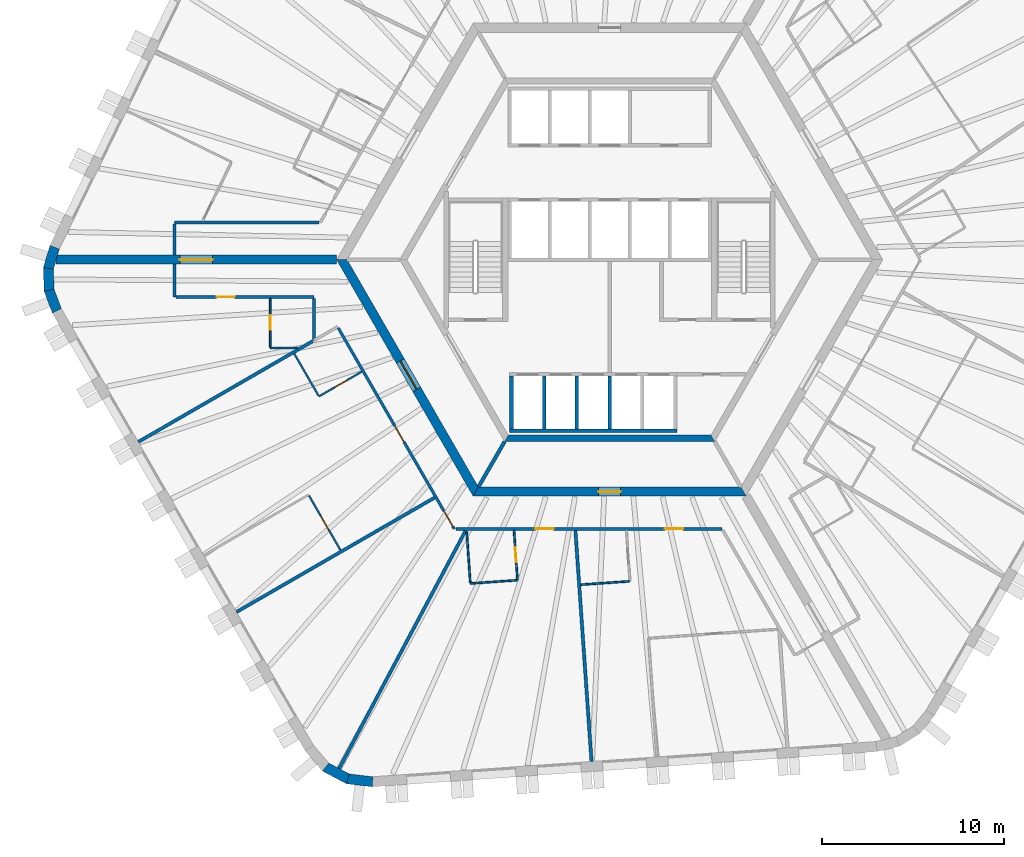
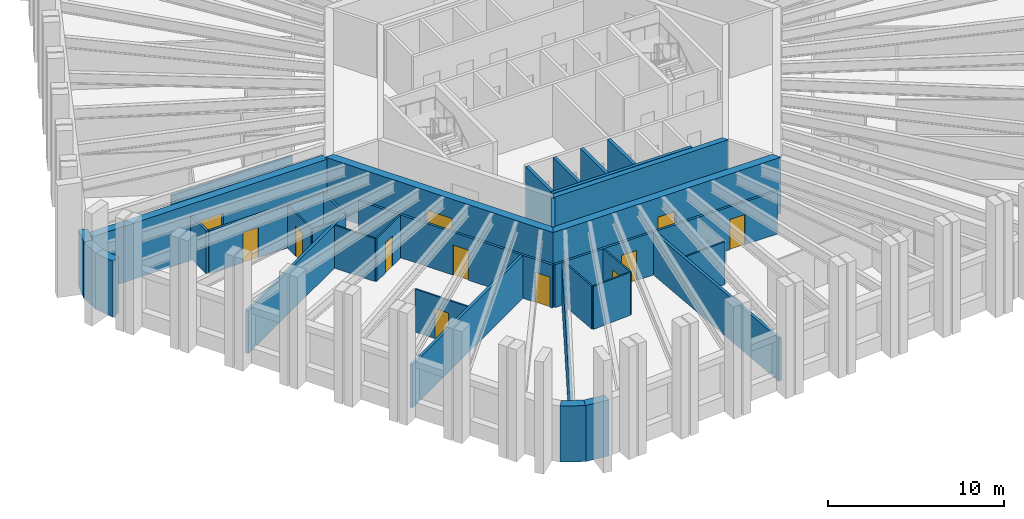
# One storey, part 3 of 10: 35 walls, 12 doors, 12 openings.
"""IFC4 building model written with IfcOpenShell, lengths in metres."""

from ifc_helpers import new_model, si_unit, direction, frame, frame_2d, origin, place, context, subcontext, project, spatial, polyline, rectangle, outline, extrude, material, layer, layer_set, type_object, element, fill, save


model = new_model("IFC4")

# Units and contexts
model_context = context("Model", 3, precision=1e-05, world=origin(), true_north=direction((0.0, 1.0)))
body_context = subcontext(model_context, "Body", "Model", "MODEL_VIEW")
ifc_project = project(units=[si_unit("LENGTHUNIT", "METRE"), si_unit("AREAUNIT", "SQUARE_METRE"), si_unit("VOLUMEUNIT", "CUBIC_METRE"), si_unit("PLANEANGLEUNIT", "RADIAN"), si_unit("MASSUNIT", "GRAM", prefix="KILO")], contexts=[model_context])

# Site, building, storey
site_placement = place(None, origin())
site = spatial("IfcSite", under=ifc_project, at=site_placement, CompositionType="ELEMENT")
building_placement = place(site_placement, origin())
building = spatial("IfcBuilding", under=site, at=building_placement, Name="Tarnside Tower", CompositionType="ELEMENT")
storey_placement = place(building_placement, frame((0.0, 0.0, 176.10009765625)))
storey = spatial("IfcBuildingStorey", under=building, at=storey_placement, Name="L41", CompositionType="ELEMENT", Elevation=176.10009765625)

# Wall
ifc_material_1 = material(Name="Gypsum board partition on steel studs", Category="steel")
ifc_layer_1 = layer(ifc_material_1, 0.10009765625)
ifc_layer_set_1 = layer_set([ifc_layer_1], Name="Bathroom wall 100")
wall_type_1 = type_object("IfcWallType", Name="Bathroom wall 100", PredefinedType="PARTITIONING", material=ifc_layer_set_1)
wall_1_placement = place(storey_placement, frame((-17.144775390625, -4.85009765625, 0.0), z_axis=(0.0, 0.0, 1.0), x_axis=(-1.0, 0.0, 0.0)))
element("IfcWall", 1, at=wall_1_placement, inside=storey, type_object=wall_type_1, Name="Bathroom wall 13070", PredefinedType="PARTITIONING", context=body_context, shape_type="SweptSolid", body=[
    extrude(rectangle(XDim=1.51123046875, YDim=0.10009765625, at=frame_2d((0.755615234375, 0.0))), origin(), (0.0, 0.0, 1.0), 2.98779296875),
])

# Wall, opening, door
wall_2_placement = place(storey_placement, frame((-18.656005859375, -4.800048828125, 0.0), z_axis=(0.0, 0.0, 1.0), x_axis=(0.0, 1.0, 0.0)))
wall_2 = element("IfcWall", 2, at=wall_2_placement, inside=storey, type_object=wall_type_1, Name="Bathroom wall 13071", PredefinedType="PARTITIONING", context=body_context, shape_type="SweptSolid", body=[
    extrude(rectangle(XDim=2.675048828125, YDim=0.10009765625, at=frame_2d((1.33740234375, 0.0))), origin(), (0.0, 0.0, 1.0), 2.98779296875),
])
opening_1_placement = place(wall_2_placement, frame((0.949951171875, 0.0, 0.0)))
opening_1 = element("IfcOpeningElement", 3, at=opening_1_placement, cuts=wall_2, Name="Opening D-B1", PredefinedType="OPENING", context=body_context, shape_type="SweptSolid", body=[
    extrude(rectangle(XDim=0.800048828125, YDim=2.10009765625, at=frame_2d((0.39990234375, 1.050048828125))), frame((0.0, 0.06005859375, 0.0), z_axis=(0.0, -1.0, 0.0), x_axis=(1.0, 0.0, 0.0)), (0.0, 0.0, 1.0), 0.1201171875),
])
ifc_material_2 = material(Name="Timber door leaf", Category="wood")
door_type_1 = type_object("IfcDoorType", Name="Bathroom door 800", OperationType="NOTDEFINED", PredefinedType="DOOR", material=ifc_material_2)
door_1_placement = place(opening_1_placement, origin())
door_1 = element("IfcDoor", 4, at=door_1_placement, inside=storey, type_object=door_type_1, Name="Bathroom door 13013", OperationType="SINGLE_SWING_RIGHT", OverallHeight=2.10009765625, OverallWidth=0.800048828125, PredefinedType="DOOR", context=body_context, shape_type="SweptSolid", body=[
    extrude(rectangle(XDim=0.800048828125, YDim=2.10009765625, at=frame_2d((0.39990234375, 1.050048828125))), frame((0.0, 0.02490234375, 0.0), z_axis=(0.0, -1.0, 0.0), x_axis=(1.0, 0.0, 0.0)), (0.0, 0.0, 1.0), 0.050048828125),
])
fill(opening_1, door_1)

wall_3_placement = place(storey_placement, frame((-13.623291015625, -6.154052734375, 0.0), z_axis=(0.0, 0.0, 1.0), x_axis=(-0.866051307416, -0.49995513091, 0.0)))
wall_3 = element("IfcWall", 5, at=wall_3_placement, inside=storey, type_object=wall_type_1, Name="Bathroom wall 13075", PredefinedType="PARTITIONING", context=body_context, shape_type="SweptSolid", body=[
    extrude(rectangle(XDim=2.724853515625, YDim=0.10009765625, at=frame_2d((1.3623046875, 0.0))), origin(), (0.0, 0.0, 1.0), 2.98779296875),
])
opening_2_placement = place(wall_3_placement, frame((0.925048828125, 0.0, 0.0)))
opening_2 = element("IfcOpeningElement", 6, at=opening_2_placement, cuts=wall_3, Name="Opening D-B1", PredefinedType="OPENING", context=body_context, shape_type="SweptSolid", body=[
    extrude(rectangle(XDim=0.800048828125, YDim=2.10009765625, at=frame_2d((0.39990234375, 1.050048828125))), frame((0.0, 0.06005859375, 0.0), z_axis=(0.0, -1.0, 0.0), x_axis=(1.0, 0.0, 0.0)), (0.0, 0.0, 1.0), 0.1201171875),
])
door_2_placement = place(opening_2_placement, origin())
door_2 = element("IfcDoor", 7, at=door_2_placement, inside=storey, type_object=door_type_1, Name="Bathroom door 13015", OperationType="SINGLE_SWING_RIGHT", OverallHeight=2.10009765625, OverallWidth=0.800048828125, PredefinedType="DOOR", context=body_context, shape_type="SweptSolid", body=[
    extrude(rectangle(XDim=0.800048828125, YDim=2.10009765625, at=frame_2d((0.39990234375, 1.050048828125))), frame((0.0, 0.02490234375, 0.0), z_axis=(0.0, -1.0, 0.0), x_axis=(1.0, 0.0, 0.0)), (0.0, 0.0, 1.0), 0.050048828125),
])
fill(opening_2, door_2)

# Wall
wall_4_placement = place(storey_placement, frame((-16.008056640625, -7.47314453125, 0.0), z_axis=(0.0, 0.0, 1.0), x_axis=(-0.500008456887, 0.866020521143, 0.0)))
element("IfcWall", 8, at=wall_4_placement, inside=storey, type_object=wall_type_1, Name="Bathroom wall 13076", PredefinedType="PARTITIONING", context=body_context, shape_type="SweptSolid", body=[
    extrude(rectangle(XDim=2.66015625, YDim=0.10009765625, at=frame_2d((1.330078125, 0.0))), origin(), (0.0, 0.0, 1.0), 2.98779296875),
])

# Wall, opening, door
wall_5_placement = place(storey_placement, frame((-5.2578125, -14.875, 0.0), z_axis=(0.0, 0.0, 1.0), x_axis=(0.069828244755, -0.997559028947, 0.0)))
wall_5 = element("IfcWall", 9, at=wall_5_placement, inside=storey, type_object=wall_type_1, Name="Bathroom wall 13082", PredefinedType="PARTITIONING", context=body_context, shape_type="SweptSolid", body=[
    extrude(rectangle(XDim=2.751708984375, YDim=0.10009765625, at=frame_2d((1.3759765625, 0.0))), origin(), (0.0, 0.0, 1.0), 2.98779296875),
])
opening_3_placement = place(wall_5_placement, frame((0.95166015625, 0.0, 0.0)))
opening_3 = element("IfcOpeningElement", 10, at=opening_3_placement, cuts=wall_5, Name="Opening D-B1", PredefinedType="OPENING", context=body_context, shape_type="SweptSolid", body=[
    extrude(rectangle(XDim=0.800048828125, YDim=2.10009765625, at=frame_2d((0.39990234375, 1.050048828125))), frame((0.0, 0.06005859375, 0.0), z_axis=(0.0, -1.0, 0.0), x_axis=(1.0, 0.0, 0.0)), (0.0, 0.0, 1.0), 0.1201171875),
])
door_3_placement = place(opening_3_placement, origin())
door_3 = element("IfcDoor", 11, at=door_3_placement, inside=storey, type_object=door_type_1, Name="Bathroom door 13019", OperationType="SINGLE_SWING_LEFT", OverallHeight=2.10009765625, OverallWidth=0.800048828125, PredefinedType="DOOR", context=body_context, shape_type="SweptSolid", body=[
    extrude(rectangle(XDim=0.800048828125, YDim=2.10009765625, at=frame_2d((0.39990234375, 1.050048828125))), frame((0.0, 0.02490234375, 0.0), z_axis=(0.0, -1.0, 0.0), x_axis=(1.0, 0.0, 0.0)), (0.0, 0.0, 1.0), 0.050048828125),
])
fill(opening_3, door_3)

# Walls
wall_6_placement = place(storey_placement, frame((-5.11572265625, -17.623291015625, 0.0), z_axis=(0.0, 0.0, 1.0), x_axis=(-0.997561167558, -0.069797686069, 0.0)))
element("IfcWall", 12, at=wall_6_placement, inside=storey, type_object=wall_type_1, Name="Bathroom wall 13083", PredefinedType="PARTITIONING", context=body_context, shape_type="SweptSolid", body=[
    extrude(rectangle(XDim=2.5498046875, YDim=0.10009765625, at=frame_2d((1.27490234375, 0.0))), origin(), (0.0, 0.0, 1.0), 2.98779296875),
])
wall_7_placement = place(storey_placement, frame((-7.662841796875, -17.751220703125, 0.0), z_axis=(0.0, 0.0, 1.0), x_axis=(-0.069778595312, 0.997562503123, 0.0)))
element("IfcWall", 13, at=wall_7_placement, inside=storey, type_object=wall_type_1, Name="Bathroom wall 13084", PredefinedType="PARTITIONING", context=body_context, shape_type="SweptSolid", body=[
    extrude(rectangle(XDim=2.78857421875, YDim=0.10009765625, at=frame_2d((1.394287109375, 0.0))), origin(), (0.0, 0.0, 1.0), 2.98779296875),
])
wall_8_placement = place(storey_placement, frame((1.068115234375, -17.68212890625, 0.0), z_axis=(0.0, 0.0, 1.0), x_axis=(-0.997564270717, -0.069753320981, 0.0)))
element("IfcWall", 14, at=wall_8_placement, inside=storey, type_object=wall_type_1, Name="Bathroom wall 13088", PredefinedType="PARTITIONING", context=body_context, shape_type="SweptSolid", body=[
    extrude(rectangle(XDim=2.66015625, YDim=0.10009765625, at=frame_2d((1.330078125, 0.0))), origin(), (0.0, 0.0, 1.0), 2.98779296875),
])
ifc_material_3 = material(Name="Concrete C50/60", Category="concrete")
ifc_layer_2 = layer(ifc_material_3, 0.35009765625)
ifc_layer_set_2 = layer_set([ifc_layer_2], Name="Core block wall 350 C50/60")
wall_type_2 = type_object("IfcWallType", Name="Core block wall 350 C50/60", PredefinedType="SHEAR", material=ifc_layer_set_2)
wall_9_placement = place(storey_placement, frame((-5.672607421875, -9.824951171875, -0.150146484375), z_axis=(0.0, 0.0, 1.0), x_axis=(1.0, 0.0, 0.0)))
element("IfcWall", 15, at=wall_9_placement, inside=storey, type_object=wall_type_2, Name="L41 core block wall face 4", PredefinedType="SHEAR", context=body_context, shape_type="SweptSolid", body=[
    extrude(outline(polyline([(-0.10107421875, -0.175048828125), (11.4462890625, -0.175048828125), (11.244140625, 0.175048828125), (0.10107421875, 0.175048828125), (-0.10107421875, -0.175048828125)])), origin(), (0.0, 0.0, 1.0), 3.900146484375),
])

# Wall, opening, door
ifc_material_4 = material(Name="Concrete C70/85", Category="concrete")
ifc_layer_3 = layer(ifc_material_4, 0.5)
ifc_layer_set_3 = layer_set([ifc_layer_3], Name="Core wall Z2 500 C70/85")
wall_type_3 = type_object("IfcWallType", Name="Core wall Z2 500 C70/85", PredefinedType="SHEAR", material=ifc_layer_set_3)
wall_10_placement = place(storey_placement, frame((-14.722412109375, 0.0, -0.150146484375), z_axis=(0.0, 0.0, 1.0), x_axis=(0.50000571537, -0.866022103989, 0.0)))
wall_10 = element("IfcWall", 16, at=wall_10_placement, inside=storey, type_object=wall_type_3, Name="L41 core wall face 3", PredefinedType="SHEAR", context=body_context, shape_type="SweptSolid", body=[
    extrude(outline(polyline([(-0.144287109375, -0.25), (14.86669921875, -0.25), (14.578125, 0.25), (0.144287109375, 0.25), (-0.144287109375, -0.25)])), origin(), (0.0, 0.0, 1.0), 3.900146484375),
])
opening_4_placement = place(wall_10_placement, frame((6.432373046875, 0.0, 0.14990234375)))
opening_4 = element("IfcOpeningElement", 17, at=opening_4_placement, cuts=wall_10, Name="Opening CD-FFL", PredefinedType="OPENING", context=body_context, shape_type="SweptSolid", body=[
    extrude(rectangle(XDim=1.800048828125, YDim=2.39990234375, at=frame_2d((0.89990234375, 1.199951171875))), frame((0.0, 0.260009765625, 0.0), z_axis=(0.0, -1.0, 0.0), x_axis=(1.0, 0.0, 0.0)), (0.0, 0.0, 1.0), 0.52001953125),
])
ifc_material_5 = material(Name="Steel fire door", Category="steel")
door_type_2 = type_object("IfcDoorType", Name="Firefighting lobby double door FD60S 1800x2400", OperationType="NOTDEFINED", PredefinedType="DOOR", material=ifc_material_5)
door_4_placement = place(opening_4_placement, origin())
door_4 = element("IfcDoor", 18, at=door_4_placement, inside=storey, type_object=door_type_2, Name="L41 core door P3", OperationType="DOUBLE_DOOR_SINGLE_SWING", OverallHeight=2.39990234375, OverallWidth=1.800048828125, PredefinedType="DOOR", context=body_context, shape_type="SweptSolid", body=[
    extrude(rectangle(XDim=1.800048828125, YDim=2.39990234375, at=frame_2d((0.89990234375, 1.199951171875))), frame((0.0, 0.02490234375, 0.0), z_axis=(0.0, -1.0, 0.0), x_axis=(1.0, 0.0, 0.0)), (0.0, 0.0, 1.0), 0.050048828125),
])
fill(opening_4, door_4)

wall_11_placement = place(storey_placement, frame((-7.361083984375, -12.75, -0.150146484375), z_axis=(0.0, 0.0, 1.0), x_axis=(1.0, 0.0, 0.0)))
wall_11 = element("IfcWall", 19, at=wall_11_placement, inside=storey, type_object=wall_type_3, Name="L41 core wall face 4", PredefinedType="SHEAR", context=body_context, shape_type="SweptSolid", body=[
    extrude(outline(polyline([(-0.144287109375, -0.25), (14.866455078125, -0.25), (14.577880859375, 0.25), (0.144287109375, 0.25), (-0.144287109375, -0.25)])), origin(), (0.0, 0.0, 1.0), 3.900146484375),
])
opening_5_placement = place(wall_11_placement, frame((6.76123046875, 0.0, 0.14990234375)))
opening_5 = element("IfcOpeningElement", 20, at=opening_5_placement, cuts=wall_11, Name="Opening CD-RSR", PredefinedType="OPENING", context=body_context, shape_type="SweptSolid", body=[
    extrude(rectangle(XDim=1.199951171875, YDim=2.39990234375, at=frame_2d((0.60009765625, 1.199951171875))), frame((0.0, 0.260009765625, 0.0), z_axis=(0.0, -1.0, 0.0), x_axis=(1.0, 0.0, 0.0)), (0.0, 0.0, 1.0), 0.52001953125),
])
door_type_3 = type_object("IfcDoorType", Name="Riser door FD60 1200x2400", OperationType="NOTDEFINED", PredefinedType="DOOR", material=ifc_material_5)
door_5_placement = place(opening_5_placement, origin())
door_5 = element("IfcDoor", 21, at=door_5_placement, inside=storey, type_object=door_type_3, Name="L41 core door S6", OperationType="SINGLE_SWING_LEFT", OverallHeight=2.39990234375, OverallWidth=1.199951171875, PredefinedType="DOOR", context=body_context, shape_type="SweptSolid", body=[
    extrude(rectangle(XDim=1.199951171875, YDim=2.39990234375, at=frame_2d((0.60009765625, 1.199951171875))), frame((0.0, 0.02490234375, 0.0), z_axis=(0.0, -1.0, 0.0), x_axis=(1.0, 0.0, 0.0)), (0.0, 0.0, 1.0), 0.050048828125),
])
fill(opening_5, door_5)

wall_12_placement = place(storey_placement, frame((-15.010986328125, 0.0, -0.150146484375), z_axis=(0.0, 0.0, 1.0), x_axis=(-1.0, 0.0, 0.0)))
wall_12 = element("IfcWall", 22, at=wall_12_placement, inside=storey, type_object=wall_type_3, Name="L41 spine wall 2", PredefinedType="SHEAR", context=body_context, shape_type="SweptSolid", body=[
    extrude(rectangle(XDim=15.423828125, YDim=0.5, at=frame_2d((7.7119140625, 0.0))), origin(), (0.0, 0.0, 1.0), 3.900146484375),
])
opening_6_placement = place(wall_12_placement, frame((6.811767578125, 0.0, 0.14990234375)))
opening_6 = element("IfcOpeningElement", 23, at=opening_6_placement, cuts=wall_12, Name="Opening CD-SPN", PredefinedType="OPENING", context=body_context, shape_type="SweptSolid", body=[
    extrude(rectangle(XDim=1.800048828125, YDim=2.39990234375, at=frame_2d((0.89990234375, 1.199951171875))), frame((0.0, 0.260009765625, 0.0), z_axis=(0.0, -1.0, 0.0), x_axis=(1.0, 0.0, 0.0)), (0.0, 0.0, 1.0), 0.52001953125),
])
door_type_4 = type_object("IfcDoorType", Name="Spine passage double door FD60 1800x2400", OperationType="NOTDEFINED", PredefinedType="DOOR", material=ifc_material_5)
door_6_placement = place(opening_6_placement, origin())
door_6 = element("IfcDoor", 24, at=door_6_placement, inside=storey, type_object=door_type_4, Name="L41 spine passage door 2", OperationType="DOUBLE_DOOR_SINGLE_SWING", OverallHeight=2.39990234375, OverallWidth=1.800048828125, PredefinedType="DOOR", context=body_context, shape_type="SweptSolid", body=[
    extrude(rectangle(XDim=1.800048828125, YDim=2.39990234375, at=frame_2d((0.89990234375, 1.199951171875))), frame((0.0, 0.02490234375, 0.0), z_axis=(0.0, -1.0, 0.0), x_axis=(1.0, 0.0, 0.0)), (0.0, 0.0, 1.0), 0.050048828125),
])
fill(opening_6, door_6)

# Walls
ifc_layer_4 = layer(ifc_material_1, 0.14990234375)
ifc_layer_set_4 = layer_set([ifc_layer_4], Name="Corridor wall 150 EI 60")
wall_type_4 = type_object("IfcWallType", Name="Corridor wall 150 EI 60", PredefinedType="PARTITIONING", material=ifc_layer_set_4)
wall_13_placement = place(storey_placement, frame((-15.99267578125, 2.050048828125, 0.0), z_axis=(0.0, 0.0, 1.0), x_axis=(-1.0, 0.0, 0.0)))
element("IfcWall", 25, at=wall_13_placement, inside=storey, type_object=wall_type_4, Name="Corridor wall 13013", PredefinedType="PARTITIONING", context=body_context, shape_type="SweptSolid", body=[
    extrude(rectangle(XDim=7.93017578125, YDim=0.14990234375, at=frame_2d((3.965087890625, 0.0))), origin(), (0.0, 0.0, 1.0), 2.98779296875),
])
wall_14_placement = place(storey_placement, frame((-23.9228515625, 1.97509765625, 0.0), z_axis=(0.0, 0.0, 1.0), x_axis=(0.0, -1.0, 0.0)))
element("IfcWall", 26, at=wall_14_placement, inside=storey, type_object=wall_type_4, Name="Corridor wall 13016", PredefinedType="PARTITIONING", context=body_context, shape_type="SweptSolid", body=[
    extrude(rectangle(XDim=1.72509765625, YDim=0.14990234375, at=frame_2d((0.862548828125, 0.0))), origin(), (0.0, 0.0, 1.0), 2.98779296875),
])
wall_15_placement = place(storey_placement, frame((-23.9228515625, -0.25, 0.0), z_axis=(0.0, 0.0, 1.0), x_axis=(0.0, -1.0, 0.0)))
element("IfcWall", 27, at=wall_15_placement, inside=storey, type_object=wall_type_4, Name="Corridor wall 13017", PredefinedType="PARTITIONING", context=body_context, shape_type="SweptSolid", body=[
    extrude(rectangle(XDim=1.800048828125, YDim=0.14990234375, at=frame_2d((0.89990234375, 0.0))), origin(), (0.0, 0.0, 1.0), 2.98779296875),
])

# Wall, opening, door
wall_16_placement = place(storey_placement, frame((-23.847900390625, -2.050048828125, 0.0), z_axis=(0.0, 0.0, 1.0), x_axis=(1.0, 0.0, 0.0)))
wall_16 = element("IfcWall", 28, at=wall_16_placement, inside=storey, type_object=wall_type_4, Name="Corridor wall 13018", PredefinedType="PARTITIONING", context=body_context, shape_type="SweptSolid", body=[
    extrude(rectangle(XDim=7.591796875, YDim=0.14990234375, at=frame_2d((3.7958984375, 0.0))), origin(), (0.0, 0.0, 1.0), 2.98779296875),
])
opening_7_placement = place(wall_16_placement, frame((2.2333984375, 0.0, 0.0)))
opening_7 = element("IfcOpeningElement", 29, at=opening_7_placement, cuts=wall_16, Name="Opening D-E1", PredefinedType="OPENING", context=body_context, shape_type="SweptSolid", body=[
    extrude(rectangle(XDim=1.0, YDim=2.10009765625, at=frame_2d((0.5, 1.050048828125))), frame((0.0, 0.0849609375, 0.0), z_axis=(0.0, -1.0, 0.0), x_axis=(1.0, 0.0, 0.0)), (0.0, 0.0, 1.0), 0.169921875),
])
door_type_5 = type_object("IfcDoorType", Name="Unit entrance door 1000 FD30S", OperationType="NOTDEFINED", PredefinedType="DOOR", material=ifc_material_2)
door_7_placement = place(opening_7_placement, origin())
door_7 = element("IfcDoor", 30, at=door_7_placement, inside=storey, type_object=door_type_5, Name="Unit door 13012", OperationType="SINGLE_SWING_LEFT", OverallHeight=2.10009765625, OverallWidth=1.0, PredefinedType="DOOR", context=body_context, shape_type="SweptSolid", body=[
    extrude(rectangle(XDim=1.0, YDim=2.10009765625, at=frame_2d((0.5, 1.050048828125))), frame((0.0, 0.02490234375, 0.0), z_axis=(0.0, -1.0, 0.0), x_axis=(1.0, 0.0, 0.0)), (0.0, 0.0, 1.0), 0.050048828125),
])
fill(opening_7, door_7)

# Wall
wall_17_placement = place(storey_placement, frame((-16.256103515625, -2.125, 0.0), z_axis=(0.0, 0.0, 1.0), x_axis=(0.0, -1.0, 0.0)))
element("IfcWall", 31, at=wall_17_placement, inside=storey, type_object=wall_type_4, Name="Corridor wall 13020", PredefinedType="PARTITIONING", context=body_context, shape_type="SweptSolid", body=[
    extrude(rectangle(XDim=2.31591796875, YDim=0.14990234375, at=frame_2d((1.157958984375, 0.0))), origin(), (0.0, 0.0, 1.0), 2.98779296875),
])

# Wall, openings, doors
wall_18_placement = place(storey_placement, frame((-14.920654296875, -3.756591796875, 0.0), z_axis=(0.0, 0.0, 1.0), x_axis=(0.500001980452, -0.866024260367, 0.0)))
wall_18 = element("IfcWall", 32, at=wall_18_placement, inside=storey, type_object=wall_type_4, Name="Corridor wall 13021", PredefinedType="PARTITIONING", context=body_context, shape_type="SweptSolid", body=[
    extrude(rectangle(XDim=12.751953125, YDim=0.14990234375, at=frame_2d((6.3759765625, 0.0))), origin(), (0.0, 0.0, 1.0), 2.98779296875),
])
opening_8_placement = place(wall_18_placement, frame((6.22509765625, 0.0, 0.0)))
opening_8 = element("IfcOpeningElement", 33, at=opening_8_placement, cuts=wall_18, Name="Opening D-E1", PredefinedType="OPENING", context=body_context, shape_type="SweptSolid", body=[
    extrude(rectangle(XDim=1.0, YDim=2.10009765625, at=frame_2d((0.5, 1.050048828125))), frame((0.0, 0.0849609375, 0.0), z_axis=(0.0, -1.0, 0.0), x_axis=(1.0, 0.0, 0.0)), (0.0, 0.0, 1.0), 0.169921875),
])
opening_9_placement = place(wall_18_placement, frame((11.601806640625, 0.0, 0.0)))
opening_9 = element("IfcOpeningElement", 34, at=opening_9_placement, cuts=wall_18, Name="Opening D-E1", PredefinedType="OPENING", context=body_context, shape_type="SweptSolid", body=[
    extrude(rectangle(XDim=1.0, YDim=2.10009765625, at=frame_2d((0.5, 1.050048828125))), frame((0.0, 0.0849609375, 0.0), z_axis=(0.0, -1.0, 0.0), x_axis=(1.0, 0.0, 0.0)), (0.0, 0.0, 1.0), 0.169921875),
])
door_8_placement = place(opening_8_placement, origin())
door_8 = element("IfcDoor", 35, at=door_8_placement, inside=storey, type_object=door_type_5, Name="Unit door 13014", OperationType="SINGLE_SWING_LEFT", OverallHeight=2.10009765625, OverallWidth=1.0, PredefinedType="DOOR", context=body_context, shape_type="SweptSolid", body=[
    extrude(rectangle(XDim=1.0, YDim=2.10009765625, at=frame_2d((0.5, 1.050048828125))), frame((0.0, 0.02490234375, 0.0), z_axis=(0.0, -1.0, 0.0), x_axis=(1.0, 0.0, 0.0)), (0.0, 0.0, 1.0), 0.050048828125),
])
fill(opening_8, door_8)
door_9_placement = place(opening_9_placement, origin())
door_9 = element("IfcDoor", 36, at=door_9_placement, inside=storey, type_object=door_type_5, Name="Unit door 13017", OperationType="SINGLE_SWING_LEFT", OverallHeight=2.10009765625, OverallWidth=1.0, PredefinedType="DOOR", context=body_context, shape_type="SweptSolid", body=[
    extrude(rectangle(XDim=1.0, YDim=2.10009765625, at=frame_2d((0.5, 1.050048828125))), frame((0.0, 0.02490234375, 0.0), z_axis=(0.0, -1.0, 0.0), x_axis=(1.0, 0.0, 0.0)), (0.0, 0.0, 1.0), 0.050048828125),
])
fill(opening_9, door_9)

wall_19_placement = place(storey_placement, frame((-8.458251953125, -14.800048828125, 0.0), z_axis=(0.0, 0.0, 1.0), x_axis=(1.0, 0.0, 0.0)))
wall_19 = element("IfcWall", 37, at=wall_19_placement, inside=storey, type_object=wall_type_4, Name="Corridor wall 13025", PredefinedType="PARTITIONING", context=body_context, shape_type="SweptSolid", body=[
    extrude(rectangle(XDim=14.635986328125, YDim=0.14990234375, at=frame_2d((7.31787109375, 0.0))), origin(), (0.0, 0.0, 1.0), 2.98779296875),
])
opening_10_placement = place(wall_19_placement, frame((4.375244140625, 0.0, 0.0)))
opening_10 = element("IfcOpeningElement", 38, at=opening_10_placement, cuts=wall_19, Name="Opening D-E1", PredefinedType="OPENING", context=body_context, shape_type="SweptSolid", body=[
    extrude(rectangle(XDim=1.0, YDim=2.10009765625, at=frame_2d((0.5, 1.050048828125))), frame((0.0, 0.0849609375, 0.0), z_axis=(0.0, -1.0, 0.0), x_axis=(1.0, 0.0, 0.0)), (0.0, 0.0, 1.0), 0.169921875),
])
opening_11_placement = place(wall_19_placement, frame((11.49853515625, 0.0, 0.0)))
opening_11 = element("IfcOpeningElement", 39, at=opening_11_placement, cuts=wall_19, Name="Opening D-E1", PredefinedType="OPENING", context=body_context, shape_type="SweptSolid", body=[
    extrude(rectangle(XDim=1.0, YDim=2.10009765625, at=frame_2d((0.5, 1.050048828125))), frame((0.0, 0.0849609375, 0.0), z_axis=(0.0, -1.0, 0.0), x_axis=(1.0, 0.0, 0.0)), (0.0, 0.0, 1.0), 0.169921875),
])
door_10_placement = place(opening_10_placement, origin())
door_10 = element("IfcDoor", 40, at=door_10_placement, inside=storey, type_object=door_type_5, Name="Unit door 13018", OperationType="SINGLE_SWING_LEFT", OverallHeight=2.10009765625, OverallWidth=1.0, PredefinedType="DOOR", context=body_context, shape_type="SweptSolid", body=[
    extrude(rectangle(XDim=1.0, YDim=2.10009765625, at=frame_2d((0.5, 1.050048828125))), frame((0.0, 0.02490234375, 0.0), z_axis=(0.0, -1.0, 0.0), x_axis=(1.0, 0.0, 0.0)), (0.0, 0.0, 1.0), 0.050048828125),
])
fill(opening_10, door_10)
door_11_placement = place(opening_11_placement, origin())
door_11 = element("IfcDoor", 41, at=door_11_placement, inside=storey, type_object=door_type_5, Name="Unit door 13020", OperationType="SINGLE_SWING_RIGHT", OverallHeight=2.10009765625, OverallWidth=1.0, PredefinedType="DOOR", context=body_context, shape_type="SweptSolid", body=[
    extrude(rectangle(XDim=1.0, YDim=2.10009765625, at=frame_2d((0.5, 1.050048828125))), frame((0.0, 0.02490234375, 0.0), z_axis=(0.0, -1.0, 0.0), x_axis=(1.0, 0.0, 0.0)), (0.0, 0.0, 1.0), 0.050048828125),
])
fill(opening_11, door_11)

# Walls
ifc_layer_5 = layer(ifc_material_1, 0.179931640625)
ifc_layer_set_5 = layer_set([ifc_layer_5], Name="Demising wall 180 EI 60")
wall_type_5 = type_object("IfcWallType", Name="Demising wall 180 EI 60", PredefinedType="PARTITIONING", material=ifc_layer_set_5)
wall_20_placement = place(storey_placement, frame((-25.91357421875, -10.0166015625, 0.0), z_axis=(0.0, 0.0, 1.0), x_axis=(0.866021744024, 0.500006338837, 0.0)))
element("IfcWall", 42, at=wall_20_placement, inside=storey, type_object=wall_type_5, Name="Demising wall 13072", PredefinedType="PARTITIONING", context=body_context, shape_type="SweptSolid", body=[
    extrude(rectangle(XDim=11.067138671875, YDim=0.179931640625, at=frame_2d((5.53369140625, 0.0))), origin(), (0.0, 0.0, 1.0), 2.98779296875),
])
wall_21_placement = place(storey_placement, frame((-20.513427734375, -19.36962890625, 0.0), z_axis=(0.0, 0.0, 1.0), x_axis=(0.866019402111, 0.500010395058, 0.0)))
element("IfcWall", 43, at=wall_21_placement, inside=storey, type_object=wall_type_5, Name="Demising wall 13079", PredefinedType="PARTITIONING", context=body_context, shape_type="SweptSolid", body=[
    extrude(rectangle(XDim=12.574951171875, YDim=0.179931640625, at=frame_2d((6.28759765625, 0.0))), origin(), (0.0, 0.0, 1.0), 2.98779296875),
])
wall_22_placement = place(storey_placement, frame((-14.875732421875, -27.97705078125, 0.0), z_axis=(0.0, 0.0, 1.0), x_axis=(0.469475175214, 0.882945672088, 0.0)))
element("IfcWall", 44, at=wall_22_placement, inside=storey, type_object=wall_type_5, Name="Demising wall 13081", PredefinedType="PARTITIONING", context=body_context, shape_type="SweptSolid", body=[
    extrude(rectangle(XDim=14.839111328125, YDim=0.179931640625, at=frame_2d((7.41943359375, 0.0))), origin(), (0.0, 0.0, 1.0), 2.98779296875),
])
wall_23_placement = place(storey_placement, frame((-0.99609375, -27.586669921875, 0.0), z_axis=(0.0, 0.0, 1.0), x_axis=(-0.069758774678, 0.99756388936, 0.0)))
element("IfcWall", 45, at=wall_23_placement, inside=storey, type_object=wall_type_5, Name="Demising wall 13085", PredefinedType="PARTITIONING", context=body_context, shape_type="SweptSolid", body=[
    extrude(rectangle(XDim=12.74267578125, YDim=0.179931640625, at=frame_2d((6.371337890625, 0.0))), origin(), (0.0, 0.0, 1.0), 2.98779296875),
])
ifc_material_6 = material(Name="Concrete C40/50", Category="concrete")
ifc_layer_6 = layer(ifc_material_6, 0.199951171875)
ifc_layer_set_6 = layer_set([ifc_layer_6], Name="Lift shaft wall 200 C40/50")
wall_type_6 = type_object("IfcWallType", Name="Lift shaft wall 200 C40/50", PredefinedType="SHEAR", material=ifc_layer_set_6)
wall_24_placement = place(storey_placement, frame((-5.5, -9.39990234375, -0.25), z_axis=(0.0, 0.0, 1.0), x_axis=(1.0, 0.0, 0.0)))
element("IfcWall", 46, at=wall_24_placement, inside=storey, type_object=wall_type_6, Name="L41 lift shaft back wall R4", PredefinedType="SHEAR", context=body_context, shape_type="SweptSolid", body=[
    extrude(rectangle(XDim=9.199951171875, YDim=0.199951171875, at=frame_2d((4.60009765625, 0.0))), origin(), (0.0, 0.0, 1.0), 3.89990234375),
])
for number, where, z_axis, x_axis, name in (
    (47, (-5.39990234375, -9.300048828125, -0.25), (0.0, 0.0, 1.0), (0.0, 1.0, 0.0), "L41 lift shaft partition R41"),
    (48, (-3.60009765625, -9.300048828125, -0.25), (0.0, 0.0, 1.0), (0.0, 1.0, 0.0), "L41 lift shaft partition R42"),
    (49, (-1.800048828125, -9.300048828125, -0.25), (0.0, 0.0, 1.0), (0.0, 1.0, 0.0), "L41 lift shaft partition R43"),
    (50, (0.0, -9.300048828125, -0.25), (0.0, 0.0, 1.0), (0.0, 1.0, 0.0), "L41 lift shaft partition R44"),
):
    element("IfcWall", number, at=place(storey_placement, frame(where, z_axis=z_axis, x_axis=x_axis)), inside=storey, type_object=wall_type_6, Name=name, PredefinedType="SHEAR", context=body_context, shape_type="SweptSolid", body=[
        extrude(rectangle(XDim=2.900146484375, YDim=0.199951171875, at=frame_2d((1.4501953125, 0.0))), origin(), (0.0, 0.0, 1.0), 3.89990234375),
    ])
wall_25_placement = place(storey_placement, frame((-5.7734375, -10.0, -0.150146484375), z_axis=(0.0, 0.0, 1.0), x_axis=(-0.499995765644, -0.866027848477, 0.0)))
element("IfcWall", 51, at=wall_25_placement, inside=storey, type_object=wall_type_6, Name="L41 core partition AR240", PredefinedType="SHEAR", context=body_context, shape_type="SweptSolid", body=[
    extrude(rectangle(XDim=2.88671875, YDim=0.199951171875, at=frame_2d((1.443359375, 0.0))), origin(), (0.0, 0.0, 1.0), 3.900146484375),
])

# Wall, opening, door
ifc_layer_7 = layer(ifc_material_1, 0.10009765625)
ifc_layer_set_7 = layer_set([ifc_layer_7], Name="Partition 100")
wall_type_7 = type_object("IfcWallType", Name="Partition 100", PredefinedType="PARTITIONING", material=ifc_layer_set_7)
wall_26_placement = place(storey_placement, frame((-16.529296875, -12.97021484375, 0.0), z_axis=(0.0, 0.0, 1.0), x_axis=(0.499978980201, -0.866037539231, 0.0)))
wall_26 = element("IfcWall", 52, at=wall_26_placement, inside=storey, type_object=wall_type_7, Name="Partition wall 13078", PredefinedType="PARTITIONING", context=body_context, shape_type="SweptSolid", body=[
    extrude(rectangle(XDim=3.460205078125, YDim=0.10009765625, at=frame_2d((1.72998046875, 0.0))), origin(), (0.0, 0.0, 1.0), 2.98779296875),
])
opening_12_placement = place(wall_26_placement, frame((1.300048828125, 0.0, 0.0)))
opening_12 = element("IfcOpeningElement", 53, at=opening_12_placement, cuts=wall_26, Name="Opening D-I1", PredefinedType="OPENING", context=body_context, shape_type="SweptSolid", body=[
    extrude(rectangle(XDim=0.89990234375, YDim=2.10009765625, at=frame_2d((0.449951171875, 1.050048828125))), frame((0.0, 0.06005859375, 0.0), z_axis=(0.0, -1.0, 0.0), x_axis=(1.0, 0.0, 0.0)), (0.0, 0.0, 1.0), 0.1201171875),
])
door_type_6 = type_object("IfcDoorType", Name="Internal door 900", OperationType="NOTDEFINED", PredefinedType="DOOR", material=ifc_material_2)
door_12_placement = place(opening_12_placement, origin())
door_12 = element("IfcDoor", 54, at=door_12_placement, inside=storey, type_object=door_type_6, Name="Internal door 13016", OperationType="SINGLE_SWING_LEFT", OverallHeight=2.10009765625, OverallWidth=0.89990234375, PredefinedType="DOOR", context=body_context, shape_type="SweptSolid", body=[
    extrude(rectangle(XDim=0.89990234375, YDim=2.10009765625, at=frame_2d((0.449951171875, 1.050048828125))), frame((0.0, 0.02490234375, 0.0), z_axis=(0.0, -1.0, 0.0), x_axis=(1.0, 0.0, 0.0)), (0.0, 0.0, 1.0), 0.050048828125),
])
fill(opening_12, door_12)

# Walls
ifc_material_7 = material(Name="Facing brick", Category="masonry")
ifc_layer_8 = layer(ifc_material_7, 0.10205078125)
ifc_material_8 = material(Name="Concrete C60/75 precast", Category="concrete")
ifc_layer_9 = layer(ifc_material_8, 0.347900390625)
ifc_material_9 = material(Name="Mineral wool insulation")
ifc_layer_10 = layer(ifc_material_9, 0.10009765625)
ifc_layer_set_8 = layer_set([ifc_layer_8, ifc_layer_9, ifc_layer_10], Name="Tube wall 550 brick faced")
wall_type_8 = type_object("IfcWallType", Name="Tube wall 550 brick faced", PredefinedType="SOLIDWALL", material=ifc_layer_set_8)
wall_27_placement = place(storey_placement, frame((-30.51318359375, 0.684326171875, -0.150146484375), z_axis=(0.0, 0.0, 1.0), x_axis=(-0.286736058109, -0.958009620505, 0.0)))
element("IfcWall", 55, at=wall_27_placement, inside=storey, type_object=wall_type_8, Name="Tube wall L41 F2 chord 05", PredefinedType="SOLIDWALL", context=body_context, shape_type="SweptSolid", body=[
    extrude(outline(polyline([(-0.0224609375, -0.27490234375), (1.25341796875, -0.27490234375), (1.1630859375, 0.27490234375), (0.0224609375, 0.27490234375), (-0.0224609375, -0.27490234375)])), origin(), (0.0, 0.0, 1.0), 3.900146484375),
])
wall_28_placement = place(storey_placement, frame((-30.859619140625, -0.47314453125, -0.150146484375), z_axis=(0.0, 0.0, 1.0), x_axis=(0.03495638276, -0.999388838893, 0.0)))
element("IfcWall", 56, at=wall_28_placement, inside=storey, type_object=wall_type_8, Name="Tube wall L41 F2 chord 06", PredefinedType="SOLIDWALL", context=body_context, shape_type="SweptSolid", body=[
    extrude(outline(polyline([(-0.045166015625, -0.27490234375), (1.25341796875, -0.27490234375), (1.1630859375, 0.27490234375), (0.045166015625, 0.27490234375), (-0.045166015625, -0.27490234375)])), origin(), (0.0, 0.0, 1.0), 3.900146484375),
])
wall_29_placement = place(storey_placement, frame((-30.8173828125, -1.6806640625, -0.150146484375), z_axis=(0.0, 0.0, 1.0), x_axis=(0.352850303963, -0.935679786569, 0.0)))
element("IfcWall", 57, at=wall_29_placement, inside=storey, type_object=wall_type_8, Name="Tube wall L41 F2 chord 07", PredefinedType="SOLIDWALL", context=body_context, shape_type="SweptSolid", body=[
    extrude(outline(polyline([(-0.045166015625, -0.27490234375), (1.23046875, -0.27490234375), (1.185546875, 0.27490234375), (0.045166015625, 0.27490234375), (-0.045166015625, -0.27490234375)])), origin(), (0.0, 0.0, 1.0), 3.900146484375),
])
wall_30_placement = place(storey_placement, frame((-15.613525390625, -27.896240234375, -0.150146484375), z_axis=(0.0, 0.0, 1.0), x_axis=(0.882994189209, -0.469383917304, 0.0)))
element("IfcWall", 58, at=wall_30_placement, inside=storey, type_object=wall_type_8, Name="Tube wall L41 F3 chord 10", PredefinedType="SOLIDWALL", context=body_context, shape_type="SweptSolid", body=[
    extrude(outline(polyline([(-0.0517578125, -0.27490234375), (1.4306640625, -0.27490234375), (1.3271484375, 0.27490234375), (0.0517578125, 0.27490234375), (-0.0517578125, -0.27490234375)])), origin(), (0.0, 0.0, 1.0), 3.900146484375),
])
wall_31_placement = place(storey_placement, frame((-14.39599609375, -28.54345703125, -0.150146484375), z_axis=(0.0, 0.0, 1.0), x_axis=(0.993232537394, -0.11614269956, 0.0)))
element("IfcWall", 59, at=wall_31_placement, inside=storey, type_object=wall_type_8, Name="Tube wall L41 F3 chord 11", PredefinedType="SOLIDWALL", context=body_context, shape_type="SweptSolid", body=[
    extrude(outline(polyline([(-0.0517578125, -0.27490234375), (1.404541015625, -0.27490234375), (1.353271484375, 0.27490234375), (0.0517578125, 0.27490234375), (-0.0517578125, -0.27490234375)])), origin(), (0.0, 0.0, 1.0), 3.900146484375),
])

save(model, "model.ifc")
